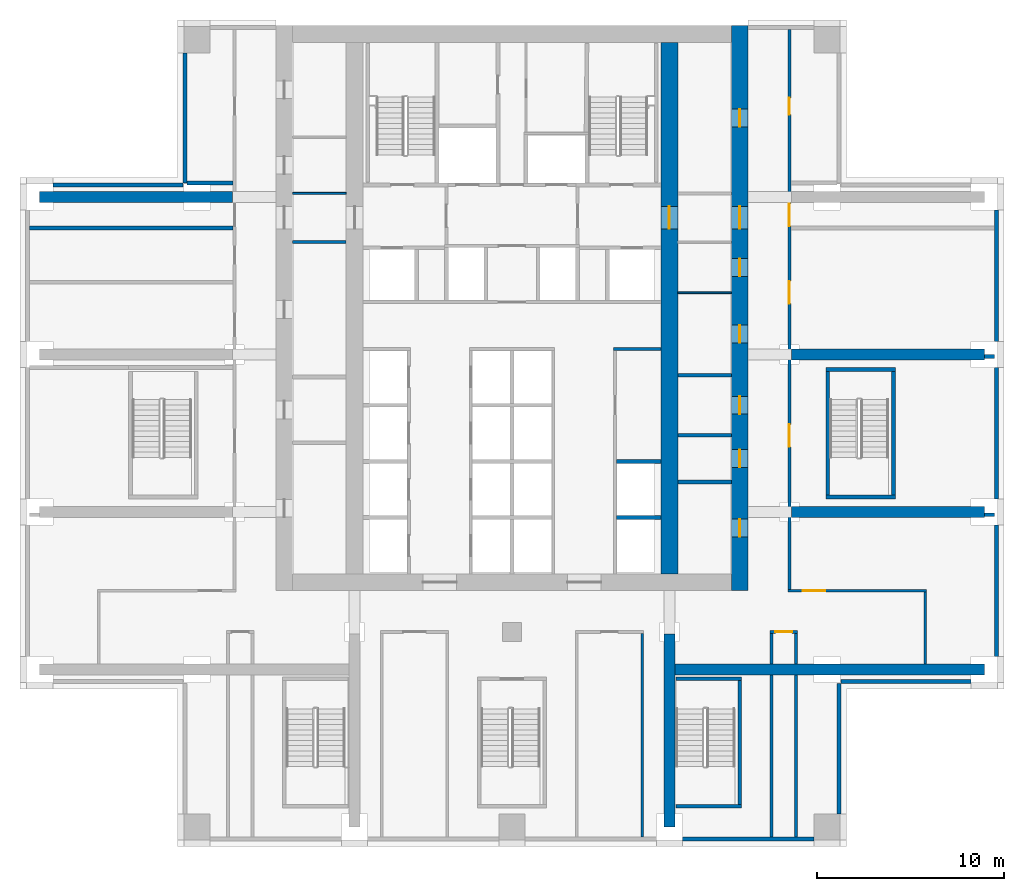
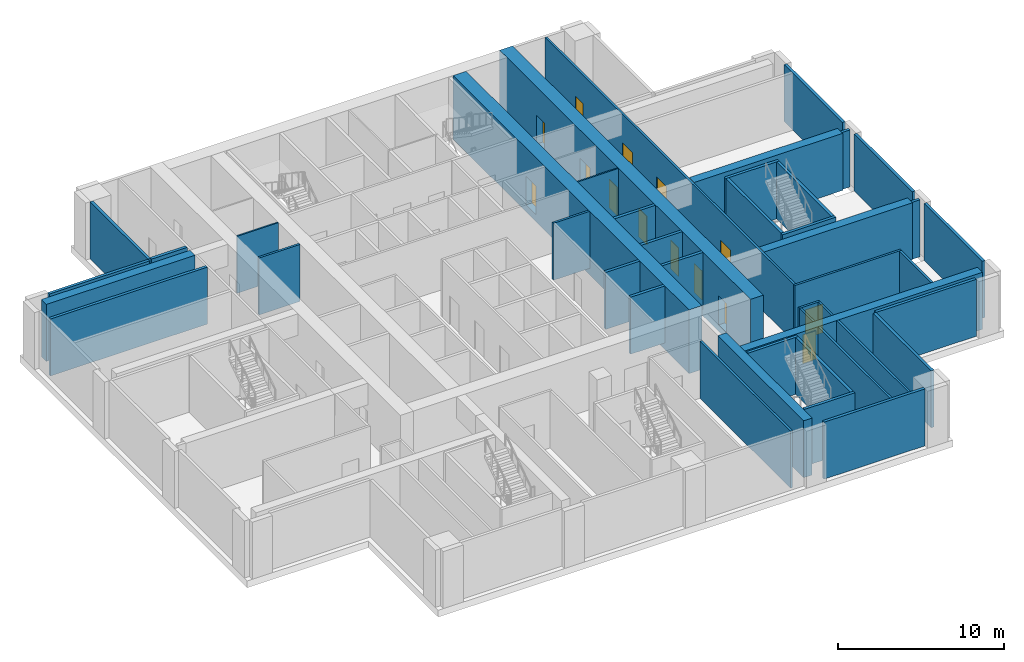
# One storey, part 4 of 11: 44 walls, 14 doors, 14 openings.
"""IFC4 building model written with IfcOpenShell, lengths in metres."""

from ifc_helpers import new_model, si_unit, direction, frame, frame_2d, origin, place, context, subcontext, project, spatial, rectangle, extrude, material, layer, layer_set, type_object, element, fill, save


model = new_model("IFC4")

# Units and contexts
model_context = context("Model", 3, precision=1e-05, world=origin(), true_north=direction((0.0, 1.0)))
body_context = subcontext(model_context, "Body", "Model", "MODEL_VIEW")
ifc_project = project(units=[si_unit("LENGTHUNIT", "METRE"), si_unit("AREAUNIT", "SQUARE_METRE"), si_unit("VOLUMEUNIT", "CUBIC_METRE"), si_unit("PLANEANGLEUNIT", "RADIAN"), si_unit("MASSUNIT", "GRAM", prefix="KILO")], contexts=[model_context])

# Site, building, storey
site_placement = place(None, origin())
site = spatial("IfcSite", under=ifc_project, at=site_placement, CompositionType="ELEMENT")
building_placement = place(site_placement, origin())
building = spatial("IfcBuilding", under=site, at=building_placement, Name="Vermilion Ogive Tower", CompositionType="ELEMENT")
storey_placement = place(building_placement, frame((0.0, 0.0, 75.89990234375)))
storey = spatial("IfcBuildingStorey", under=building, at=storey_placement, Name="L18", CompositionType="ELEMENT", Elevation=75.89990234375)

# Wall, openings, doors
ifc_material_1 = material(Name="Concrete B80", Category="concrete")
ifc_layer_1 = layer(ifc_material_1, 0.89990234375)
ifc_layer_set_1 = layer_set([ifc_layer_1], Name="Core wall 900 B80")
wall_type_1 = type_object("IfcWallType", Name="Core wall 900 B80", PredefinedType="SHEAR", material=ifc_layer_set_1)
wall_1_placement = place(storey_placement, frame((12.14990234375, -8.39990234375, -0.5), z_axis=(0.0, 0.0, 1.0), x_axis=(0.0, 1.0, 0.0)))
wall_1 = element("IfcWall", 1, at=wall_1_placement, inside=storey, type_object=wall_type_1, Name="L18-CORE-E", PredefinedType="SHEAR", context=body_context, shape_type="SweptSolid", body=[
    extrude(rectangle(XDim=30.14990234375, YDim=0.89990234375, at=frame_2d((15.074951171875, 0.0))), origin(), (0.0, 0.0, 1.0), 4.68017578125),
])
opening_1_placement = place(wall_1_placement, frame((2.875, 0.0, 0.5)))
opening_1 = element("IfcOpeningElement", 2, at=opening_1_placement, cuts=wall_1, Name="Opening DAS001", PredefinedType="OPENING", context=body_context, shape_type="SweptSolid", body=[
    extrude(rectangle(XDim=0.949951171875, YDim=2.10009765625, at=frame_2d((0.47509765625, 1.050048828125))), frame((0.0, 0.4599609375, 0.0), z_axis=(0.0, -1.0, 0.0), x_axis=(1.0, 0.0, 0.0)), (0.0, 0.0, 1.0), 0.919921875),
])
opening_2_placement = place(wall_1_placement, frame((6.574951171875, 0.0, 0.5)))
opening_2 = element("IfcOpeningElement", 3, at=opening_2_placement, cuts=wall_1, Name="Opening DAS002", PredefinedType="OPENING", context=body_context, shape_type="SweptSolid", body=[
    extrude(rectangle(XDim=0.949951171875, YDim=2.10009765625, at=frame_2d((0.47509765625, 1.050048828125))), frame((0.0, 0.4599609375, 0.0), z_axis=(0.0, -1.0, 0.0), x_axis=(1.0, 0.0, 0.0)), (0.0, 0.0, 1.0), 0.919921875),
])
opening_3_placement = place(wall_1_placement, frame((9.425048828125, 0.0, 0.5)))
opening_3 = element("IfcOpeningElement", 4, at=opening_3_placement, cuts=wall_1, Name="Opening DAS003", PredefinedType="OPENING", context=body_context, shape_type="SweptSolid", body=[
    extrude(rectangle(XDim=0.949951171875, YDim=2.10009765625, at=frame_2d((0.47509765625, 1.050048828125))), frame((0.0, 0.4599609375, 0.0), z_axis=(0.0, -1.0, 0.0), x_axis=(1.0, 0.0, 0.0)), (0.0, 0.0, 1.0), 0.919921875),
])
opening_4_placement = place(wall_1_placement, frame((13.22509765625, 0.0, 0.5)))
opening_4 = element("IfcOpeningElement", 5, at=opening_4_placement, cuts=wall_1, Name="Opening DAS004", PredefinedType="OPENING", context=body_context, shape_type="SweptSolid", body=[
    extrude(rectangle(XDim=0.949951171875, YDim=2.10009765625, at=frame_2d((0.47509765625, 1.050048828125))), frame((0.0, 0.4599609375, 0.0), z_axis=(0.0, -1.0, 0.0), x_axis=(1.0, 0.0, 0.0)), (0.0, 0.0, 1.0), 0.919921875),
])
opening_5_placement = place(wall_1_placement, frame((16.77490234375, 0.0, 0.5)))
opening_5 = element("IfcOpeningElement", 6, at=opening_5_placement, cuts=wall_1, Name="Opening DAS005", PredefinedType="OPENING", context=body_context, shape_type="SweptSolid", body=[
    extrude(rectangle(XDim=0.949951171875, YDim=2.10009765625, at=frame_2d((0.47509765625, 1.050048828125))), frame((0.0, 0.4599609375, 0.0), z_axis=(0.0, -1.0, 0.0), x_axis=(1.0, 0.0, 0.0)), (0.0, 0.0, 1.0), 0.919921875),
])
opening_6_placement = place(wall_1_placement, frame((24.75, 0.0, 0.5)))
opening_6 = element("IfcOpeningElement", 7, at=opening_6_placement, cuts=wall_1, Name="Opening DAS006", PredefinedType="OPENING", context=body_context, shape_type="SweptSolid", body=[
    extrude(rectangle(XDim=0.949951171875, YDim=2.10009765625, at=frame_2d((0.47509765625, 1.050048828125))), frame((0.0, 0.4599609375, 0.0), z_axis=(0.0, -1.0, 0.0), x_axis=(1.0, 0.0, 0.0)), (0.0, 0.0, 1.0), 0.919921875),
])
opening_7_placement = place(wall_1_placement, frame((19.300048828125, 0.0, 0.5)))
opening_7 = element("IfcOpeningElement", 8, at=opening_7_placement, cuts=wall_1, Name="Opening DBL001", PredefinedType="OPENING", context=body_context, shape_type="SweptSolid", body=[
    extrude(rectangle(XDim=1.199951171875, YDim=2.10009765625, at=frame_2d((0.60009765625, 1.050048828125))), frame((0.0, 0.4599609375, 0.0), z_axis=(0.0, -1.0, 0.0), x_axis=(1.0, 0.0, 0.0)), (0.0, 0.0, 1.0), 0.919921875),
])
ifc_material_2 = material(Name="Timber door leaf", Category="wood")
door_type_1 = type_object("IfcDoorType", Name="Link door 1200 x 2100 FD60S", OperationType="SINGLE_SWING_LEFT", PredefinedType="DOOR", material=ifc_material_2)
door_1_placement = place(opening_7_placement, origin())
door_1 = element("IfcDoor", 9, at=door_1_placement, inside=storey, type_object=door_type_1, Name="L18-CKE-XL", OperationType="SINGLE_SWING_LEFT", OverallHeight=2.10009765625, OverallWidth=1.199951171875, PredefinedType="DOOR", context=body_context, shape_type="SweptSolid", body=[
    extrude(rectangle(XDim=1.199951171875, YDim=2.10009765625, at=frame_2d((0.60009765625, 1.050048828125))), frame((0.0, 0.02490234375, 0.0), z_axis=(0.0, -1.0, 0.0), x_axis=(1.0, 0.0, 0.0)), (0.0, 0.0, 1.0), 0.050048828125),
])
fill(opening_7, door_1)
ifc_material_3 = material(Name="Timber door leaf", Category="wood")
door_type_2 = type_object("IfcDoorType", Name="Service door 950 x 2100 FD60", OperationType="SINGLE_SWING_LEFT", PredefinedType="DOOR", material=ifc_material_3)
door_2_placement = place(opening_1_placement, origin())
door_2 = element("IfcDoor", 10, at=door_2_placement, inside=storey, type_object=door_type_2, Name="L18-CKE-XR0", OperationType="SINGLE_SWING_LEFT", OverallHeight=2.10009765625, OverallWidth=0.949951171875, PredefinedType="DOOR", context=body_context, shape_type="SweptSolid", body=[
    extrude(rectangle(XDim=0.949951171875, YDim=2.10009765625, at=frame_2d((0.47509765625, 1.050048828125))), frame((0.0, 0.02490234375, 0.0), z_axis=(0.0, -1.0, 0.0), x_axis=(1.0, 0.0, 0.0)), (0.0, 0.0, 1.0), 0.050048828125),
])
fill(opening_1, door_2)
door_3_placement = place(opening_2_placement, origin())
door_3 = element("IfcDoor", 11, at=door_3_placement, inside=storey, type_object=door_type_2, Name="L18-CKE-XR1", OperationType="SINGLE_SWING_LEFT", OverallHeight=2.10009765625, OverallWidth=0.949951171875, PredefinedType="DOOR", context=body_context, shape_type="SweptSolid", body=[
    extrude(rectangle(XDim=0.949951171875, YDim=2.10009765625, at=frame_2d((0.47509765625, 1.050048828125))), frame((0.0, 0.02490234375, 0.0), z_axis=(0.0, -1.0, 0.0), x_axis=(1.0, 0.0, 0.0)), (0.0, 0.0, 1.0), 0.050048828125),
])
fill(opening_2, door_3)
door_4_placement = place(opening_3_placement, origin())
door_4 = element("IfcDoor", 12, at=door_4_placement, inside=storey, type_object=door_type_2, Name="L18-CKE-XR2", OperationType="SINGLE_SWING_LEFT", OverallHeight=2.10009765625, OverallWidth=0.949951171875, PredefinedType="DOOR", context=body_context, shape_type="SweptSolid", body=[
    extrude(rectangle(XDim=0.949951171875, YDim=2.10009765625, at=frame_2d((0.47509765625, 1.050048828125))), frame((0.0, 0.02490234375, 0.0), z_axis=(0.0, -1.0, 0.0), x_axis=(1.0, 0.0, 0.0)), (0.0, 0.0, 1.0), 0.050048828125),
])
fill(opening_3, door_4)
door_5_placement = place(opening_4_placement, origin())
door_5 = element("IfcDoor", 13, at=door_5_placement, inside=storey, type_object=door_type_2, Name="L18-CKE-XR3", OperationType="SINGLE_SWING_LEFT", OverallHeight=2.10009765625, OverallWidth=0.949951171875, PredefinedType="DOOR", context=body_context, shape_type="SweptSolid", body=[
    extrude(rectangle(XDim=0.949951171875, YDim=2.10009765625, at=frame_2d((0.47509765625, 1.050048828125))), frame((0.0, 0.02490234375, 0.0), z_axis=(0.0, -1.0, 0.0), x_axis=(1.0, 0.0, 0.0)), (0.0, 0.0, 1.0), 0.050048828125),
])
fill(opening_4, door_5)
door_6_placement = place(opening_5_placement, origin())
door_6 = element("IfcDoor", 14, at=door_6_placement, inside=storey, type_object=door_type_2, Name="L18-CKE-XR4", OperationType="SINGLE_SWING_LEFT", OverallHeight=2.10009765625, OverallWidth=0.949951171875, PredefinedType="DOOR", context=body_context, shape_type="SweptSolid", body=[
    extrude(rectangle(XDim=0.949951171875, YDim=2.10009765625, at=frame_2d((0.47509765625, 1.050048828125))), frame((0.0, 0.02490234375, 0.0), z_axis=(0.0, -1.0, 0.0), x_axis=(1.0, 0.0, 0.0)), (0.0, 0.0, 1.0), 0.050048828125),
])
fill(opening_5, door_6)
door_7_placement = place(opening_6_placement, origin())
door_7 = element("IfcDoor", 15, at=door_7_placement, inside=storey, type_object=door_type_2, Name="L18-CKE-XR5", OperationType="SINGLE_SWING_LEFT", OverallHeight=2.10009765625, OverallWidth=0.949951171875, PredefinedType="DOOR", context=body_context, shape_type="SweptSolid", body=[
    extrude(rectangle(XDim=0.949951171875, YDim=2.10009765625, at=frame_2d((0.47509765625, 1.050048828125))), frame((0.0, 0.02490234375, 0.0), z_axis=(0.0, -1.0, 0.0), x_axis=(1.0, 0.0, 0.0)), (0.0, 0.0, 1.0), 0.050048828125),
])
fill(opening_6, door_7)

# Wall, opening, door
wall_2_placement = place(storey_placement, frame((8.39990234375, -7.5, -0.5), z_axis=(0.0, 0.0, 1.0), x_axis=(0.0, 1.0, 0.0)))
wall_2 = element("IfcWall", 16, at=wall_2_placement, inside=storey, type_object=wall_type_1, Name="L18-CORE-WEB2", PredefinedType="SHEAR", context=body_context, shape_type="SweptSolid", body=[
    extrude(rectangle(XDim=28.35009765625, YDim=0.89990234375, at=frame_2d((14.175048828125, 0.0))), origin(), (0.0, 0.0, 1.0), 4.68017578125),
])
opening_8_placement = place(wall_2_placement, frame((18.39990234375, 0.0, 0.5)))
opening_8 = element("IfcOpeningElement", 17, at=opening_8_placement, cuts=wall_2, Name="Opening DBR001", PredefinedType="OPENING", context=body_context, shape_type="SweptSolid", body=[
    extrude(rectangle(XDim=1.199951171875, YDim=2.10009765625, at=frame_2d((0.60009765625, 1.050048828125))), frame((0.0, 0.4599609375, 0.0), z_axis=(0.0, -1.0, 0.0), x_axis=(1.0, 0.0, 0.0)), (0.0, 0.0, 1.0), 0.919921875),
])
door_8_placement = place(opening_8_placement, origin())
door_8 = element("IfcDoor", 18, at=door_8_placement, inside=storey, type_object=door_type_1, Name="L18-CKE-XW", OperationType="SINGLE_SWING_LEFT", OverallHeight=2.10009765625, OverallWidth=1.199951171875, PredefinedType="DOOR", context=body_context, shape_type="SweptSolid", body=[
    extrude(rectangle(XDim=1.199951171875, YDim=2.10009765625, at=frame_2d((0.60009765625, 1.050048828125))), frame((0.0, 0.02490234375, 0.0), z_axis=(0.0, -1.0, 0.0), x_axis=(1.0, 0.0, 0.0)), (0.0, 0.0, 1.0), 0.050048828125),
])
fill(opening_8, door_8)

# Walls
ifc_material_4 = material(Name="Concrete B60", Category="concrete")
ifc_layer_2 = layer(ifc_material_4, 0.60009765625)
ifc_layer_set_2 = layer_set([ifc_layer_2], Name="Outrigger wall 600 B60")
wall_type_2 = type_object("IfcWallType", Name="Outrigger wall 600 B60", PredefinedType="SHEAR", material=ifc_layer_set_2)
wall_3_placement = place(storey_placement, frame((8.550048828125, -12.60009765625, 0.0), z_axis=(0.0, 0.0, 1.0), x_axis=(1.0, 0.0, 0.0)))
element("IfcWall", 19, at=wall_3_placement, inside=storey, type_object=wall_type_2, Name="L18-OW-EWE-12.6", PredefinedType="SHEAR", context=body_context, shape_type="SweptSolid", body=[
    extrude(rectangle(XDim=16.64990234375, YDim=0.60009765625, at=frame_2d((8.324951171875, 0.0))), origin(), (0.0, 0.0, 1.0), 4.18017578125),
])
for number, where, z_axis, x_axis, name in (
    (20, (14.89990234375, -4.199951171875, 0.0), (0.0, 0.0, 1.0), (1.0, 0.0, 0.0), "L18-OW-EWE-4.2"),
    (21, (14.89990234375, 4.199951171875, 0.0), (0.0, 0.0, 1.0), (1.0, 0.0, 0.0), "L18-OW-EWE+4.2"),
    (22, (-14.89990234375, 12.60009765625, 0.0), (0.0, 0.0, 1.0), (-1.0, 0.0, 0.0), "L18-OW-EWW+12.6"),
):
    element("IfcWall", number, at=place(storey_placement, frame(where, z_axis=z_axis, x_axis=x_axis)), inside=storey, type_object=wall_type_2, Name=name, PredefinedType="SHEAR", context=body_context, shape_type="SweptSolid", body=[
        extrude(rectangle(XDim=10.300048828125, YDim=0.60009765625, at=frame_2d((5.14990234375, 0.0))), origin(), (0.0, 0.0, 1.0), 4.18017578125),
    ])
ifc_material_5 = material(Name="Gypsum board partition on steel studs", Category="steel")
ifc_layer_3 = layer(ifc_material_5, 0.10009765625)
ifc_layer_set_3 = layer_set([ifc_layer_3], Name="Partition 100 bath")
wall_type_3 = type_object("IfcWallType", Name="Partition 100 bath", PredefinedType="PARTITIONING", material=ifc_layer_set_3)
for number, where, z_axis, x_axis, name in (
    (23, (-11.698974609375, 12.800048828125, 0.0), (0.0, 0.0, 1.0), (1.0, 0.0, 0.0), "L18-CKW-W-W004"),
    (24, (8.85107421875, 7.5, 0.0), (0.0, 0.0, 1.0), (1.0, 0.0, 0.0), "L18-CKE-W-W004"),
):
    element("IfcWall", number, at=place(storey_placement, frame(where, z_axis=z_axis, x_axis=x_axis)), inside=storey, type_object=wall_type_3, Name=name, PredefinedType="PARTITIONING", context=body_context, shape_type="SweptSolid", body=[
        extrude(rectangle(XDim=2.847900390625, YDim=0.10009765625, at=frame_2d((1.423828125, 0.0))), origin(), (0.0, 0.0, 1.0), 4.18017578125),
    ])

# Wall, opening, door
ifc_material_6 = material(Name="Gypsum board partition on steel studs", Category="steel")
ifc_layer_4 = layer(ifc_material_6, 0.14990234375)
ifc_layer_set_4 = layer_set([ifc_layer_4], Name="Partition 150 corridor")
wall_type_4 = type_object("IfcWallType", Name="Partition 150 corridor", PredefinedType="PARTITIONING", material=ifc_layer_set_4)
wall_4_placement = place(storey_placement, frame((13.77490234375, -10.60009765625, 0.0), z_axis=(0.0, 0.0, 1.0), x_axis=(1.0, 0.0, 0.0)))
wall_4 = element("IfcWall", 25, at=wall_4_placement, inside=storey, type_object=wall_type_4, Name="L18-FS-W-W004", PredefinedType="PARTITIONING", context=body_context, shape_type="SweptSolid", body=[
    extrude(rectangle(XDim=1.4501953125, YDim=0.14990234375, at=frame_2d((0.72509765625, 0.0))), origin(), (0.0, 0.0, 1.0), 4.18017578125),
])
opening_9_placement = place(wall_4_placement, frame((0.275146484375, 0.0, 0.0)))
opening_9 = element("IfcOpeningElement", 26, at=opening_9_placement, cuts=wall_4, Name="Opening L18S014", PredefinedType="OPENING", context=body_context, shape_type="SweptSolid", body=[
    extrude(rectangle(XDim=0.89990234375, YDim=2.10009765625, at=frame_2d((0.449951171875, 1.050048828125))), frame((0.0, 0.0849609375, 0.0), z_axis=(0.0, -1.0, 0.0), x_axis=(1.0, 0.0, 0.0)), (0.0, 0.0, 1.0), 0.169921875),
])
ifc_material_7 = material(Name="Timber door leaf", Category="wood")
door_type_3 = type_object("IfcDoorType", Name="Room door 900 x 2100 FD30", OperationType="SINGLE_SWING_LEFT", PredefinedType="DOOR", material=ifc_material_7)
door_9_placement = place(opening_9_placement, origin())
door_9 = element("IfcDoor", 27, at=door_9_placement, inside=storey, type_object=door_type_3, Name="L18-FS-D-D014", OperationType="SINGLE_SWING_RIGHT", OverallHeight=2.10009765625, OverallWidth=0.89990234375, PredefinedType="DOOR", context=body_context, shape_type="SweptSolid", body=[
    extrude(rectangle(XDim=0.89990234375, YDim=2.10009765625, at=frame_2d((0.449951171875, 1.050048828125))), frame((0.0, 0.02490234375, 0.0), z_axis=(0.0, -1.0, 0.0), x_axis=(1.0, 0.0, 0.0)), (0.0, 0.0, 1.0), 0.050048828125),
])
fill(opening_9, door_9)

wall_5_placement = place(storey_placement, frame((14.72509765625, -8.39990234375, 0.0), z_axis=(0.0, 0.0, 1.0), x_axis=(1.0, 0.0, 0.0)))
wall_5 = element("IfcWall", 28, at=wall_5_placement, inside=storey, type_object=wall_type_4, Name="L18-FS-W-W006", PredefinedType="PARTITIONING", context=body_context, shape_type="SweptSolid", body=[
    extrude(rectangle(XDim=7.39990234375, YDim=0.14990234375, at=frame_2d((3.699951171875, 0.0))), origin(), (0.0, 0.0, 1.0), 4.18017578125),
])
opening_10_placement = place(wall_5_placement, frame((0.77490234375, 0.0, 0.0)))
opening_10 = element("IfcOpeningElement", 29, at=opening_10_placement, cuts=wall_5, Name="Opening L18S002", PredefinedType="OPENING", context=body_context, shape_type="SweptSolid", body=[
    extrude(rectangle(XDim=1.199951171875, YDim=2.10009765625, at=frame_2d((0.60009765625, 1.050048828125))), frame((0.0, 0.0849609375, 0.0), z_axis=(0.0, -1.0, 0.0), x_axis=(1.0, 0.0, 0.0)), (0.0, 0.0, 1.0), 0.169921875),
])
ifc_material_8 = material(Name="Timber door leaf", Category="wood")
door_type_4 = type_object("IfcDoorType", Name="Fire door 1200 x 2100 FD30", OperationType="SINGLE_SWING_LEFT", PredefinedType="DOOR", material=ifc_material_8)
door_10_placement = place(opening_10_placement, origin())
door_10 = element("IfcDoor", 30, at=door_10_placement, inside=storey, type_object=door_type_4, Name="L18-FS-D-D002", OperationType="SINGLE_SWING_RIGHT", OverallHeight=2.10009765625, OverallWidth=1.199951171875, PredefinedType="DOOR", context=body_context, shape_type="SweptSolid", body=[
    extrude(rectangle(XDim=1.199951171875, YDim=2.10009765625, at=frame_2d((0.60009765625, 1.050048828125))), frame((0.0, 0.02490234375, 0.0), z_axis=(0.0, -1.0, 0.0), x_axis=(1.0, 0.0, 0.0)), (0.0, 0.0, 1.0), 0.050048828125),
])
fill(opening_10, door_10)

# Walls
wall_6_placement = place(storey_placement, frame((6.949951171875, -21.550048828125, 0.0), z_axis=(0.0, 0.0, 1.0), x_axis=(0.0, 1.0, 0.0)))
element("IfcWall", 31, at=wall_6_placement, inside=storey, type_object=wall_type_4, Name="L18-FS-W-W023", PredefinedType="PARTITIONING", context=body_context, shape_type="SweptSolid", body=[
    extrude(rectangle(XDim=10.875, YDim=0.14990234375, at=frame_2d((5.4375, 0.0))), origin(), (0.0, 0.0, 1.0), 4.18017578125),
])
wall_7_placement = place(storey_placement, frame((13.85009765625, -21.550048828125, 0.0), z_axis=(0.0, 0.0, 1.0), x_axis=(0.0, 1.0, 0.0)))
element("IfcWall", 32, at=wall_7_placement, inside=storey, type_object=wall_type_4, Name="L18-FS-W-W024a", PredefinedType="PARTITIONING", context=body_context, shape_type="SweptSolid", body=[
    extrude(rectangle(XDim=8.649169921875, YDim=0.14990234375, at=frame_2d((4.32470703125, 0.0))), origin(), (0.0, 0.0, 1.0), 4.18017578125),
])
wall_8_placement = place(storey_placement, frame((13.85009765625, -12.299072265625, 0.0), z_axis=(0.0, 0.0, 1.0), x_axis=(0.0, 1.0, 0.0)))
element("IfcWall", 33, at=wall_8_placement, inside=storey, type_object=wall_type_4, Name="L18-FS-W-W024b", PredefinedType="PARTITIONING", context=body_context, shape_type="SweptSolid", body=[
    extrude(rectangle(XDim=1.6240234375, YDim=0.14990234375, at=frame_2d((0.81201171875, 0.0))), origin(), (0.0, 0.0, 1.0), 4.18017578125),
])

# Wall, openings, doors
wall_9_placement = place(storey_placement, frame((14.800048828125, -8.324951171875, 0.0), z_axis=(0.0, 0.0, 1.0), x_axis=(0.0, 1.0, 0.0)))
wall_9 = element("IfcWall", 34, at=wall_9_placement, inside=storey, type_object=wall_type_4, Name="L18-FS-W-W025", PredefinedType="PARTITIONING", context=body_context, shape_type="SweptSolid", body=[
    extrude(rectangle(XDim=29.875, YDim=0.14990234375, at=frame_2d((14.9375, 0.0))), origin(), (0.0, 0.0, 1.0), 4.18017578125),
])
opening_11_placement = place(wall_9_placement, frame((7.595458984375, 0.0, 0.0)))
opening_11 = element("IfcOpeningElement", 35, at=opening_11_placement, cuts=wall_9, Name="Opening L18S007", PredefinedType="OPENING", context=body_context, shape_type="SweptSolid", body=[
    extrude(rectangle(XDim=1.199951171875, YDim=2.10009765625, at=frame_2d((0.60009765625, 1.050048828125))), frame((0.0, 0.0849609375, 0.0), z_axis=(0.0, -1.0, 0.0), x_axis=(1.0, 0.0, 0.0)), (0.0, 0.0, 1.0), 0.169921875),
])
opening_12_placement = place(wall_9_placement, frame((15.245361328125, 0.0, 0.0)))
opening_12 = element("IfcOpeningElement", 36, at=opening_12_placement, cuts=wall_9, Name="Opening L18S008", PredefinedType="OPENING", context=body_context, shape_type="SweptSolid", body=[
    extrude(rectangle(XDim=1.199951171875, YDim=2.10009765625, at=frame_2d((0.60009765625, 1.050048828125))), frame((0.0, 0.0849609375, 0.0), z_axis=(0.0, -1.0, 0.0), x_axis=(1.0, 0.0, 0.0)), (0.0, 0.0, 1.0), 0.169921875),
])
opening_13_placement = place(wall_9_placement, frame((19.375, 0.0, 0.0)))
opening_13 = element("IfcOpeningElement", 37, at=opening_13_placement, cuts=wall_9, Name="Opening L18S009", PredefinedType="OPENING", context=body_context, shape_type="SweptSolid", body=[
    extrude(rectangle(XDim=1.199951171875, YDim=2.10009765625, at=frame_2d((0.60009765625, 1.050048828125))), frame((0.0, 0.0849609375, 0.0), z_axis=(0.0, -1.0, 0.0), x_axis=(1.0, 0.0, 0.0)), (0.0, 0.0, 1.0), 0.169921875),
])
opening_14_placement = place(wall_9_placement, frame((25.324951171875, 0.0, 0.0)))
opening_14 = element("IfcOpeningElement", 38, at=opening_14_placement, cuts=wall_9, Name="Opening L18S015", PredefinedType="OPENING", context=body_context, shape_type="SweptSolid", body=[
    extrude(rectangle(XDim=0.89990234375, YDim=2.10009765625, at=frame_2d((0.449951171875, 1.050048828125))), frame((0.0, 0.0849609375, 0.0), z_axis=(0.0, -1.0, 0.0), x_axis=(1.0, 0.0, 0.0)), (0.0, 0.0, 1.0), 0.169921875),
])
ifc_material_9 = material(Name="Timber door leaf", Category="wood")
door_type_5 = type_object("IfcDoorType", Name="Room door 1200 x 2100 FD30", OperationType="SINGLE_SWING_LEFT", PredefinedType="DOOR", material=ifc_material_9)
door_11_placement = place(opening_11_placement, origin())
door_11 = element("IfcDoor", 39, at=door_11_placement, inside=storey, type_object=door_type_5, Name="L18-FS-D-D007", OperationType="SINGLE_SWING_LEFT", OverallHeight=2.10009765625, OverallWidth=1.199951171875, PredefinedType="DOOR", context=body_context, shape_type="SweptSolid", body=[
    extrude(rectangle(XDim=1.199951171875, YDim=2.10009765625, at=frame_2d((0.60009765625, 1.050048828125))), frame((0.0, 0.02490234375, 0.0), z_axis=(0.0, -1.0, 0.0), x_axis=(1.0, 0.0, 0.0)), (0.0, 0.0, 1.0), 0.050048828125),
])
fill(opening_11, door_11)
door_12_placement = place(opening_12_placement, origin())
door_12 = element("IfcDoor", 40, at=door_12_placement, inside=storey, type_object=door_type_5, Name="L18-FS-D-D008", OperationType="SINGLE_SWING_LEFT", OverallHeight=2.10009765625, OverallWidth=1.199951171875, PredefinedType="DOOR", context=body_context, shape_type="SweptSolid", body=[
    extrude(rectangle(XDim=1.199951171875, YDim=2.10009765625, at=frame_2d((0.60009765625, 1.050048828125))), frame((0.0, 0.02490234375, 0.0), z_axis=(0.0, -1.0, 0.0), x_axis=(1.0, 0.0, 0.0)), (0.0, 0.0, 1.0), 0.050048828125),
])
fill(opening_12, door_12)
door_13_placement = place(opening_13_placement, origin())
door_13 = element("IfcDoor", 41, at=door_13_placement, inside=storey, type_object=door_type_5, Name="L18-FS-D-D009", OperationType="SINGLE_SWING_RIGHT", OverallHeight=2.10009765625, OverallWidth=1.199951171875, PredefinedType="DOOR", context=body_context, shape_type="SweptSolid", body=[
    extrude(rectangle(XDim=1.199951171875, YDim=2.10009765625, at=frame_2d((0.60009765625, 1.050048828125))), frame((0.0, 0.02490234375, 0.0), z_axis=(0.0, -1.0, 0.0), x_axis=(1.0, 0.0, 0.0)), (0.0, 0.0, 1.0), 0.050048828125),
])
fill(opening_13, door_13)
door_14_placement = place(opening_14_placement, origin())
door_14 = element("IfcDoor", 42, at=door_14_placement, inside=storey, type_object=door_type_3, Name="L18-FS-D-D015", OperationType="SINGLE_SWING_RIGHT", OverallHeight=2.10009765625, OverallWidth=0.89990234375, PredefinedType="DOOR", context=body_context, shape_type="SweptSolid", body=[
    extrude(rectangle(XDim=0.89990234375, YDim=2.10009765625, at=frame_2d((0.449951171875, 1.050048828125))), frame((0.0, 0.02490234375, 0.0), z_axis=(0.0, -1.0, 0.0), x_axis=(1.0, 0.0, 0.0)), (0.0, 0.0, 1.0), 0.050048828125),
])
fill(opening_14, door_14)

# Walls
wall_10_placement = place(storey_placement, frame((15.14990234375, -21.550048828125, 0.0), z_axis=(0.0, 0.0, 1.0), x_axis=(0.0, 1.0, 0.0)))
element("IfcWall", 43, at=wall_10_placement, inside=storey, type_object=wall_type_4, Name="L18-FS-W-W026a", PredefinedType="PARTITIONING", context=body_context, shape_type="SweptSolid", body=[
    extrude(rectangle(XDim=8.649169921875, YDim=0.14990234375, at=frame_2d((4.32470703125, 0.0))), origin(), (0.0, 0.0, 1.0), 4.18017578125),
])
wall_11_placement = place(storey_placement, frame((15.14990234375, -12.299072265625, 0.0), z_axis=(0.0, 0.0, 1.0), x_axis=(0.0, 1.0, 0.0)))
element("IfcWall", 44, at=wall_11_placement, inside=storey, type_object=wall_type_4, Name="L18-FS-W-W026b", PredefinedType="PARTITIONING", context=body_context, shape_type="SweptSolid", body=[
    extrude(rectangle(XDim=1.6240234375, YDim=0.14990234375, at=frame_2d((0.81201171875, 0.0))), origin(), (0.0, 0.0, 1.0), 4.18017578125),
])
wall_12_placement = place(storey_placement, frame((22.050048828125, -12.299072265625, 0.0), z_axis=(0.0, 0.0, 1.0), x_axis=(0.0, 1.0, 0.0)))
element("IfcWall", 45, at=wall_12_placement, inside=storey, type_object=wall_type_4, Name="L18-FS-W-W027", PredefinedType="PARTITIONING", context=body_context, shape_type="SweptSolid", body=[
    extrude(rectangle(XDim=3.823974609375, YDim=0.14990234375, at=frame_2d((1.912109375, 0.0))), origin(), (0.0, 0.0, 1.0), 4.18017578125),
])
wall_13_placement = place(storey_placement, frame((5.425048828125, 4.5, 0.0), z_axis=(0.0, 0.0, 1.0), x_axis=(1.0, 0.0, 0.0)))
element("IfcWall", 46, at=wall_13_placement, inside=storey, type_object=wall_type_4, Name="L18-CK-W-W011", PredefinedType="PARTITIONING", context=body_context, shape_type="SweptSolid", body=[
    extrude(rectangle(XDim=2.52392578125, YDim=0.14990234375, at=frame_2d((1.261962890625, 0.0))), origin(), (0.0, 0.0, 1.0), 4.18017578125),
])
wall_14_placement = place(storey_placement, frame((-11.698974609375, 10.199951171875, 0.0), z_axis=(0.0, 0.0, 1.0), x_axis=(1.0, 0.0, 0.0)))
element("IfcWall", 47, at=wall_14_placement, inside=storey, type_object=wall_type_4, Name="L18-CKW-W-W003", PredefinedType="PARTITIONING", context=body_context, shape_type="SweptSolid", body=[
    extrude(rectangle(XDim=2.847900390625, YDim=0.14990234375, at=frame_2d((1.423828125, 0.0))), origin(), (0.0, 0.0, 1.0), 4.18017578125),
])
ifc_material_10 = material(Name="Gypsum board partition on steel studs", Category="steel")
ifc_layer_5 = layer(ifc_material_10, 0.199951171875)
ifc_layer_set_5 = layer_set([ifc_layer_5], Name="Partition 200 party")
wall_type_5 = type_object("IfcWallType", Name="Partition 200 party", PredefinedType="PARTITIONING", material=ifc_layer_set_5)
for number, where, z_axis, x_axis, name in (
    (48, (25.200927734375, -4.35009765625, 0.0), (0.0, 0.0, 1.0), (1.0, 0.0, 0.0), "L18-FS-W-W008"),
    (49, (25.200927734375, 4.091064453125, 0.0), (0.0, 0.0, 1.0), (1.0, 0.0, 0.0), "L18-FS-W-W010"),
):
    element("IfcWall", number, at=place(storey_placement, frame(where, z_axis=z_axis, x_axis=x_axis)), inside=storey, type_object=wall_type_5, Name=name, PredefinedType="PARTITIONING", context=body_context, shape_type="SweptSolid", body=[
        extrude(rectangle(XDim=0.549072265625, YDim=0.199951171875, at=frame_2d((0.2744140625, 0.0))), origin(), (0.0, 0.0, 1.0), 4.18017578125),
    ])
wall_15_placement = place(storey_placement, frame((-25.75, 10.949951171875, 0.0), z_axis=(0.0, 0.0, 1.0), x_axis=(1.0, 0.0, 0.0)))
element("IfcWall", 50, at=wall_15_placement, inside=storey, type_object=wall_type_5, Name="L18-FS-W-W012", PredefinedType="PARTITIONING", context=body_context, shape_type="SweptSolid", body=[
    extrude(rectangle(XDim=10.875, YDim=0.199951171875, at=frame_2d((5.4375, 0.0))), origin(), (0.0, 0.0, 1.0), 4.18017578125),
])
wall_16_placement = place(storey_placement, frame((-17.35009765625, 13.35009765625, 0.0), z_axis=(0.0, 0.0, 1.0), x_axis=(1.0, 0.0, 0.0)))
element("IfcWall", 51, at=wall_16_placement, inside=storey, type_object=wall_type_5, Name="L18-FS-W-W014", PredefinedType="PARTITIONING", context=body_context, shape_type="SweptSolid", body=[
    extrude(rectangle(XDim=2.47509765625, YDim=0.199951171875, at=frame_2d((1.237548828125, 0.0))), origin(), (0.0, 0.0, 1.0), 4.18017578125),
])
for number, where, z_axis, x_axis, name in (
    (52, (5.574951171875, -4.5, 0.0), (0.0, 0.0, 1.0), (1.0, 0.0, 0.0), "L18-CK-W-W003"),
    (53, (5.574951171875, -1.5, 0.0), (0.0, 0.0, 1.0), (1.0, 0.0, 0.0), "L18-CK-W-W006"),
):
    element("IfcWall", number, at=place(storey_placement, frame(where, z_axis=z_axis, x_axis=x_axis)), inside=storey, type_object=wall_type_5, Name=name, PredefinedType="PARTITIONING", context=body_context, shape_type="SweptSolid", body=[
        extrude(rectangle(XDim=2.3740234375, YDim=0.199951171875, at=frame_2d((1.18701171875, 0.0))), origin(), (0.0, 0.0, 1.0), 4.18017578125),
    ])
for number, where, z_axis, x_axis, name in (
    (54, (8.85107421875, -2.60009765625, 0.0), (0.0, 0.0, 1.0), (1.0, 0.0, 0.0), "L18-CKE-W-W001"),
    (55, (8.85107421875, -0.10009765625, 0.0), (0.0, 0.0, 1.0), (1.0, 0.0, 0.0), "L18-CKE-W-W002"),
    (56, (8.85107421875, 3.10009765625, 0.0), (0.0, 0.0, 1.0), (1.0, 0.0, 0.0), "L18-CKE-W-W003"),
):
    element("IfcWall", number, at=place(storey_placement, frame(where, z_axis=z_axis, x_axis=x_axis)), inside=storey, type_object=wall_type_5, Name=name, PredefinedType="PARTITIONING", context=body_context, shape_type="SweptSolid", body=[
        extrude(rectangle(XDim=2.847900390625, YDim=0.199951171875, at=frame_2d((1.423828125, 0.0))), origin(), (0.0, 0.0, 1.0), 4.18017578125),
    ])
ifc_material_11 = material(Name="Aluminium louvre panels", Category="aluminium")
ifc_layer_6 = layer(ifc_material_11, 0.199951171875)
ifc_layer_set_6 = layer_set([ifc_layer_6], Name="Plant louvre wall")
wall_type_6 = type_object("IfcWallType", Name="Plant louvre wall", PredefinedType="STANDARD", material=ifc_layer_set_6)
wall_17_placement = place(storey_placement, frame((9.10009765625, -21.64990234375, 0.0), z_axis=(0.0, 0.0, 1.0), x_axis=(1.0, 0.0, 0.0)))
element("IfcWall", 57, at=wall_17_placement, inside=storey, type_object=wall_type_6, Name="Window wall S4", PredefinedType="STANDARD", context=body_context, shape_type="SweptSolid", body=[
    extrude(rectangle(XDim=7.0, YDim=0.199951171875, at=frame_2d((3.5, 0.0))), origin(), (0.0, 0.0, 1.0), 4.18017578125),
])
for number, where, z_axis, x_axis, name in (
    (58, (17.449951171875, -20.300048828125, 0.0), (0.0, 0.0, 1.0), (0.0, 1.0, 0.0), "Window wall X11"),
    (59, (17.550048828125, -13.25, 0.0), (0.0, 0.0, 1.0), (1.0, 0.0, 0.0), "Window wall X21"),
):
    element("IfcWall", number, at=place(storey_placement, frame(where, z_axis=z_axis, x_axis=x_axis)), inside=storey, type_object=wall_type_6, Name=name, PredefinedType="STANDARD", context=body_context, shape_type="SweptSolid", body=[
        extrude(rectangle(XDim=6.949951171875, YDim=0.199951171875, at=frame_2d((3.47509765625, 0.0))), origin(), (0.0, 0.0, 1.0), 4.18017578125),
    ])
for number, where, z_axis, x_axis, name in (
    (60, (25.85009765625, -11.89990234375, 0.0), (0.0, 0.0, 1.0), (0.0, 1.0, 0.0), "Window wall E1"),
    (61, (25.85009765625, -3.5, 0.0), (0.0, 0.0, 1.0), (0.0, 1.0, 0.0), "Window wall E2"),
    (62, (25.85009765625, 4.89990234375, 0.0), (0.0, 0.0, 1.0), (0.0, 1.0, 0.0), "Window wall E3"),
):
    element("IfcWall", number, at=place(storey_placement, frame(where, z_axis=z_axis, x_axis=x_axis)), inside=storey, type_object=wall_type_6, Name=name, PredefinedType="STANDARD", context=body_context, shape_type="SweptSolid", body=[
        extrude(rectangle(XDim=7.0, YDim=0.199951171875, at=frame_2d((3.5, 0.0))), origin(), (0.0, 0.0, 1.0), 4.18017578125),
    ])
for number, where, z_axis, x_axis, name in (
    (63, (-17.449951171875, 20.300048828125, 0.0), (0.0, 0.0, 1.0), (0.0, -1.0, 0.0), "Window wall X51"),
    (64, (-17.550048828125, 13.25, 0.0), (0.0, 0.0, 1.0), (-1.0, 0.0, 0.0), "Window wall X61"),
):
    element("IfcWall", number, at=place(storey_placement, frame(where, z_axis=z_axis, x_axis=x_axis)), inside=storey, type_object=wall_type_6, Name=name, PredefinedType="STANDARD", context=body_context, shape_type="SweptSolid", body=[
        extrude(rectangle(XDim=6.949951171875, YDim=0.199951171875, at=frame_2d((3.47509765625, 0.0))), origin(), (0.0, 0.0, 1.0), 4.18017578125),
    ])
ifc_material_12 = material(Name="Concrete B60", Category="concrete")
ifc_layer_7 = layer(ifc_material_12, 0.199951171875)
ifc_layer_set_7 = layer_set([ifc_layer_7], Name="Stair shaft wall 200 Concrete B60")
wall_type_7 = type_object("IfcWallType", Name="Stair shaft wall 200 Concrete B60", PredefinedType="SOLIDWALL", material=ifc_layer_set_7)
wall_18_placement = place(storey_placement, frame((8.39990234375, -21.0, 0.0), z_axis=(0.0, 0.0, 1.0), x_axis=(0.0, 1.0, 0.0)))
element("IfcWall", 65, at=wall_18_placement, inside=storey, type_object=wall_type_7, Name="L18-OW-NS+8.4", PredefinedType="SOLIDWALL", context=body_context, shape_type="SweptSolid", body=[
    extrude(rectangle(XDim=10.300048828125, YDim=0.60009765625, at=frame_2d((5.14990234375, 0.0))), origin(), (0.0, 0.0, 1.0), 4.18017578125),
])
for number, where, z_axis, x_axis, name in (
    (66, (8.75, -19.89990234375, 0.0), (0.0, 0.0, 1.0), (1.0, 0.0, 0.0), "L18-SW-ST5-S1"),
    (67, (8.75, -13.10009765625, 0.0), (0.0, 0.0, 1.0), (1.0, 0.0, 0.0), "L18-SW-ST5-N1"),
):
    element("IfcWall", number, at=place(storey_placement, frame(where, z_axis=z_axis, x_axis=x_axis)), inside=storey, type_object=wall_type_7, Name=name, PredefinedType="SOLIDWALL", context=body_context, shape_type="SweptSolid", body=[
        extrude(rectangle(XDim=3.5, YDim=0.199951171875, at=frame_2d((1.75, 0.0))), origin(), (0.0, 0.0, 1.0), 4.18017578125),
    ])
wall_19_placement = place(storey_placement, frame((12.14990234375, -19.800048828125, 0.0), z_axis=(0.0, 0.0, 1.0), x_axis=(0.0, 1.0, 0.0)))
element("IfcWall", 68, at=wall_19_placement, inside=storey, type_object=wall_type_7, Name="L18-SW-ST5-E1", PredefinedType="SOLIDWALL", context=body_context, shape_type="SweptSolid", body=[
    extrude(rectangle(XDim=6.60009765625, YDim=0.199951171875, at=frame_2d((3.300048828125, 0.0))), origin(), (0.0, 0.0, 1.0), 4.18017578125),
])
for number, where, z_axis, x_axis, name in (
    (69, (16.75, -3.39990234375, 0.0), (0.0, 0.0, 1.0), (1.0, 0.0, 0.0), "L18-SW-ST8-S1"),
    (70, (16.75, 3.39990234375, 0.0), (0.0, 0.0, 1.0), (1.0, 0.0, 0.0), "L18-SW-ST8-N1"),
):
    element("IfcWall", number, at=place(storey_placement, frame(where, z_axis=z_axis, x_axis=x_axis)), inside=storey, type_object=wall_type_7, Name=name, PredefinedType="SOLIDWALL", context=body_context, shape_type="SweptSolid", body=[
        extrude(rectangle(XDim=3.699951171875, YDim=0.199951171875, at=frame_2d((1.85009765625, 0.0))), origin(), (0.0, 0.0, 1.0), 4.18017578125),
    ])
for number, where, z_axis, x_axis, name in (
    (71, (16.85009765625, -3.300048828125, 0.0), (0.0, 0.0, 1.0), (0.0, 1.0, 0.0), "L18-SW-ST8-W1"),
    (72, (20.35009765625, -3.300048828125, 0.0), (0.0, 0.0, 1.0), (0.0, 1.0, 0.0), "L18-SW-ST8-E1-A"),
):
    element("IfcWall", number, at=place(storey_placement, frame(where, z_axis=z_axis, x_axis=x_axis)), inside=storey, type_object=wall_type_7, Name=name, PredefinedType="SOLIDWALL", context=body_context, shape_type="SweptSolid", body=[
        extrude(rectangle(XDim=6.60009765625, YDim=0.199951171875, at=frame_2d((3.300048828125, 0.0))), origin(), (0.0, 0.0, 1.0), 4.18017578125),
    ])

save(model, "model.ifc")
